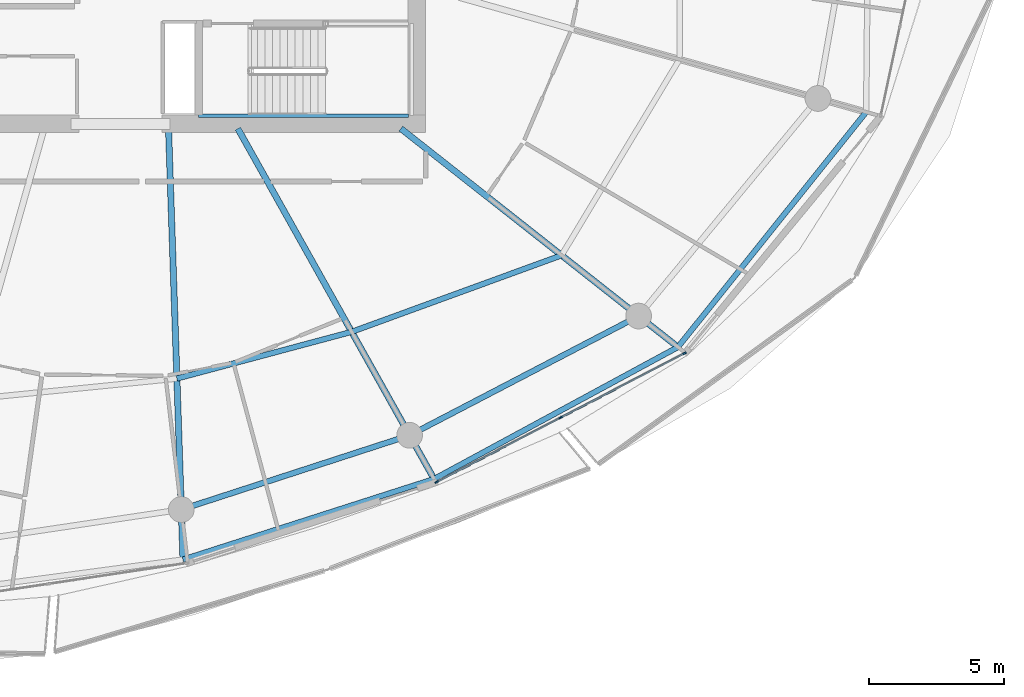
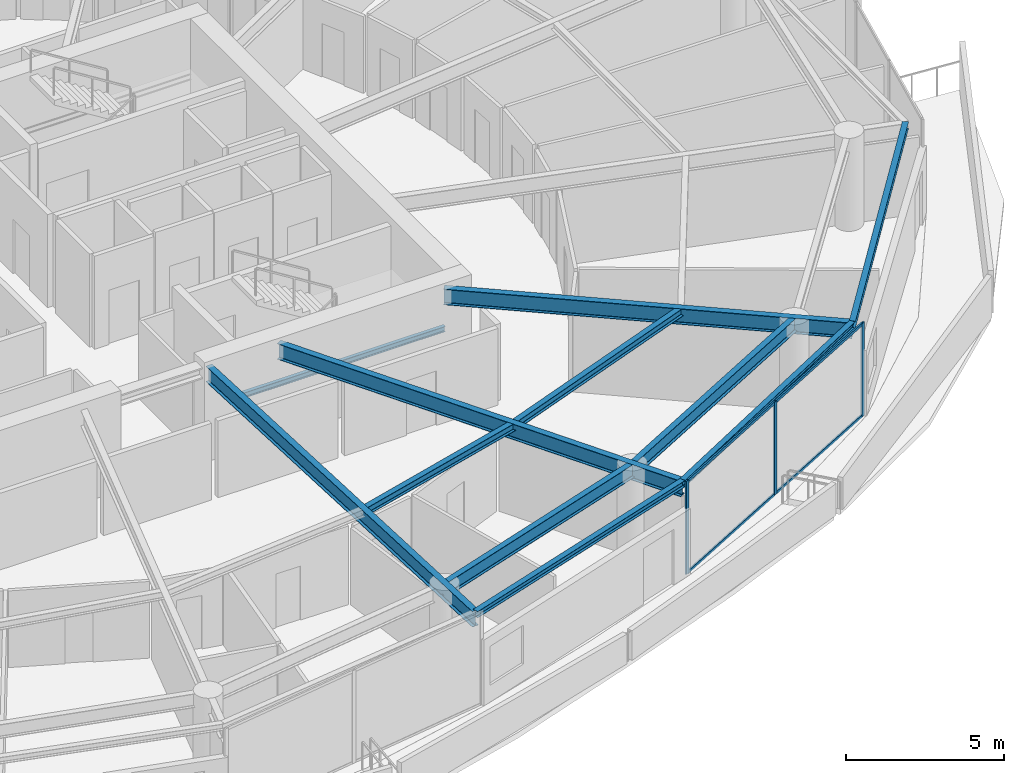
# One storey, part 10 of 30: 11 beams, 7 members, 1 element without a shape of its own.
"""IFC4 building model written with IfcOpenShell, lengths in metres."""

from ifc_helpers import new_model, si_unit, direction, frame, origin, origin_2d, place, context, subcontext, project, spatial, rectangle, i_section, extrude, material, layer, layer_set, material_profile, profile_set, type_object, element, aggregate, save


model = new_model("IFC4")

# Units and contexts
model_context = context("Model", 3, precision=1e-05, world=origin(), true_north=direction((0.0, 1.0)))
body_context = subcontext(model_context, "Body", "Model", "MODEL_VIEW")
ifc_project = project(units=[si_unit("LENGTHUNIT", "METRE"), si_unit("AREAUNIT", "SQUARE_METRE"), si_unit("VOLUMEUNIT", "CUBIC_METRE"), si_unit("PLANEANGLEUNIT", "RADIAN"), si_unit("MASSUNIT", "GRAM", prefix="KILO")], contexts=[model_context])

# Site, building, storey
site_placement = place(None, origin())
site = spatial("IfcSite", under=ifc_project, at=site_placement, CompositionType="ELEMENT")
building_placement = place(site_placement, origin())
building = spatial("IfcBuilding", under=site, at=building_placement, Name="Kazma Halo Residences", CompositionType="ELEMENT")
storey_placement = place(building_placement, frame((0.0, 0.0, 244.39990234375)))
storey = spatial("IfcBuildingStorey", under=building, at=storey_placement, Name="L61", CompositionType="ELEMENT", Elevation=244.39990234375)

# Beams
ifc_material_1 = material(Name="Steel S355", Category="steel")
ifc_material_profile_1 = material_profile(ifc_material_1, i_section(OverallWidth=0.201904296875, OverallDepth=0.2470703125, WebThickness=0.00732421875, FlangeThickness=0.010986328125, FilletRadius=0.011962890625, at=origin_2d()), Name="W250x49.1")
ifc_profile_set_1 = profile_set([ifc_material_profile_1], Name="Steel S355")
beam_type_1 = type_object("IfcBeamType", Name="BM-BAL-CANT", PredefinedType="BEAM", material=ifc_profile_set_1)
beam_1_placement = place(storey_placement, frame((50.7333984375, 17.580078125, 3.466552734375), z_axis=(0.952215866624, 0.305425839362, 0.0), x_axis=(-0.305425839362, 0.952215866624, 0.0)))
element("IfcBeam", 1, at=beam_1_placement, inside=storey, type_object=beam_type_1, Name="L61 wave-balcony tie beam 12", PredefinedType="BEAM", context=body_context, shape_type="SweptSolid", body=[
    extrude(i_section(OverallWidth=0.201904296875, OverallDepth=0.2470703125, WebThickness=0.00732421875, FlangeThickness=0.010986328125, FilletRadius=0.011962890625, at=origin_2d()), origin(), (0.0, 0.0, 1.0), 9.74169921875),
])
beam_2_placement = place(storey_placement, frame((60.009521484375, 20.555419921875, 3.466552734375), z_axis=(0.879517282036, 0.475866946321, 0.0), x_axis=(-0.475866946321, 0.879517282036, 0.0)))
element("IfcBeam", 2, at=beam_2_placement, inside=storey, type_object=beam_type_1, Name="L61 wave-balcony tie beam 13", PredefinedType="BEAM", context=body_context, shape_type="SweptSolid", body=[
    extrude(i_section(OverallWidth=0.201904296875, OverallDepth=0.2470703125, WebThickness=0.00732421875, FlangeThickness=0.010986328125, FilletRadius=0.011962890625, at=origin_2d()), origin(), (0.0, 0.0, 1.0), 10.243408203125),
])
beam_3_placement = place(storey_placement, frame((69.018798828125, 25.429931640625, 3.466552734375), z_axis=(0.625117912406, 0.780530329705, 0.0), x_axis=(-0.780530329705, 0.625117912406, 0.0)))
element("IfcBeam", 3, at=beam_3_placement, inside=storey, type_object=beam_type_1, Name="L61 wave-balcony tie beam 14", PredefinedType="BEAM", context=body_context, shape_type="SweptSolid", body=[
    extrude(i_section(OverallWidth=0.201904296875, OverallDepth=0.2470703125, WebThickness=0.00732421875, FlangeThickness=0.010986328125, FilletRadius=0.011962890625, at=origin_2d()), origin(), (0.0, 0.0, 1.0), 11.1220703125),
])
ifc_material_profile_2 = material_profile(ifc_material_1, i_section(OverallWidth=0.22802734375, OverallDepth=0.60791015625, WebThickness=0.01123046875, FlangeThickness=0.017333984375, FilletRadius=0.01806640625, at=origin_2d()), Name="W610x113")
ifc_profile_set_2 = profile_set([ifc_material_profile_2], Name="Steel S355")
beam_type_2 = type_object("IfcBeamType", Name="BM-RAD-W610", PredefinedType="BEAM", material=ifc_profile_set_2)
beam_4_placement = place(storey_placement, frame((50.199951171875, 33.5, 3.2861328125), z_axis=(0.03348936291, -0.999439073967, 0.0), x_axis=(0.999439073967, 0.03348936291, 0.0)))
element("IfcBeam", 4, at=beam_4_placement, inside=storey, type_object=beam_type_2, Name="L61 radial floor beam 12", PredefinedType="BEAM", context=body_context, shape_type="SweptSolid", body=[
    extrude(i_section(OverallWidth=0.22802734375, OverallDepth=0.60791015625, WebThickness=0.01123046875, FlangeThickness=0.017333984375, FilletRadius=0.01806640625, at=origin_2d()), origin(), (0.0, 0.0, 1.0), 15.928955078125),
])
beam_5_placement = place(storey_placement, frame((52.76025390625, 33.5, 3.2861328125), z_axis=(0.488618902548, -0.872497316943, 0.0), x_axis=(0.872497316943, 0.488618902548, 0.0)))
element("IfcBeam", 5, at=beam_5_placement, inside=storey, type_object=beam_type_2, Name="L61 radial floor beam 13", PredefinedType="BEAM", context=body_context, shape_type="SweptSolid", body=[
    extrude(i_section(OverallWidth=0.22802734375, OverallDepth=0.60791015625, WebThickness=0.01123046875, FlangeThickness=0.017333984375, FilletRadius=0.01806640625, at=origin_2d()), origin(), (0.0, 0.0, 1.0), 14.836181640625),
])
beam_6_placement = place(storey_placement, frame((58.7822265625, 33.5, 3.2861328125), z_axis=(0.785309266897, -0.619103670903, 0.0), x_axis=(0.619103670903, 0.785309266897, 0.0)))
element("IfcBeam", 6, at=beam_6_placement, inside=storey, type_object=beam_type_2, Name="L61 radial floor beam 14", PredefinedType="BEAM", context=body_context, shape_type="SweptSolid", body=[
    extrude(i_section(OverallWidth=0.22802734375, OverallDepth=0.60791015625, WebThickness=0.01123046875, FlangeThickness=0.017333984375, FilletRadius=0.01806640625, at=origin_2d()), origin(), (0.0, 0.0, 1.0), 13.03515625),
])
ifc_material_profile_3 = material_profile(ifc_material_1, i_section(OverallWidth=0.202880859375, OverallDepth=0.302978515625, WebThickness=0.007568359375, FlangeThickness=0.01318359375, FilletRadius=0.013916015625, at=origin_2d()), Name="W310x60")
ifc_profile_set_3 = profile_set([ifc_material_profile_3], Name="Steel S355")
beam_type_3 = type_object("IfcBeamType", Name="BM-SEC-W310A", PredefinedType="JOIST", material=ifc_profile_set_3)
beam_7_placement = place(storey_placement, frame((50.50927734375, 24.2666015625, 3.4384765625), z_axis=(0.966079519115, 0.258244772932, 0.0), x_axis=(-0.258244772932, 0.966079519115, 0.0)))
element("IfcBeam", 7, at=beam_7_placement, inside=storey, type_object=beam_type_3, Name="L61 circumferential floor joist 12", PredefinedType="JOIST", context=body_context, shape_type="SweptSolid", body=[
    extrude(i_section(OverallWidth=0.202880859375, OverallDepth=0.302978515625, WebThickness=0.007568359375, FlangeThickness=0.01318359375, FilletRadius=0.013916015625, at=origin_2d()), origin(), (0.0, 0.0, 1.0), 6.681884765625),
])
beam_8_placement = place(storey_placement, frame((56.964599609375, 25.9921875, 3.4384765625), z_axis=(0.93951330561, 0.342512406465, 0.0), x_axis=(-0.342512406465, 0.93951330561, 0.0)))
element("IfcBeam", 8, at=beam_8_placement, inside=storey, type_object=beam_type_3, Name="L61 circumferential floor joist 13", PredefinedType="JOIST", context=body_context, shape_type="SweptSolid", body=[
    extrude(i_section(OverallWidth=0.202880859375, OverallDepth=0.302978515625, WebThickness=0.007568359375, FlangeThickness=0.01318359375, FilletRadius=0.013916015625, at=origin_2d()), origin(), (0.0, 0.0, 1.0), 8.254150390625),
])
ifc_material_profile_4 = material_profile(ifc_material_1, i_section(OverallWidth=0.208984375, OverallDepth=0.532958984375, WebThickness=0.01025390625, FlangeThickness=0.015625, FilletRadius=0.01611328125, at=origin_2d()), Name="W530x92")
ifc_profile_set_4 = profile_set([ifc_material_profile_4], Name="Steel S355")
beam_type_4 = type_object("IfcBeamType", Name="BM-SPN-W530", PredefinedType="BEAM", material=ifc_profile_set_4)
beam_9_placement = place(storey_placement, frame((50.67138671875, 19.42919921875, 3.323486328125), z_axis=(0.951053893407, 0.309025066679, 0.0), x_axis=(-0.309025066679, 0.951053893407, 0.0)))
element("IfcBeam", 9, at=beam_9_placement, inside=storey, type_object=beam_type_4, Name="L61 perimeter ring beam 12", PredefinedType="BEAM", context=body_context, shape_type="SweptSolid", body=[
    extrude(i_section(OverallWidth=0.208984375, OverallDepth=0.532958984375, WebThickness=0.01025390625, FlangeThickness=0.015625, FilletRadius=0.01611328125, at=origin_2d()), origin(), (0.0, 0.0, 1.0), 8.8681640625),
])
beam_10_placement = place(storey_placement, frame((59.10546875, 22.169677734375, 3.323486328125), z_axis=(0.886961047115, 0.461844238788, 0.0), x_axis=(-0.461844238788, 0.886961047115, 0.0)))
element("IfcBeam", 10, at=beam_10_placement, inside=storey, type_object=beam_type_4, Name="L61 perimeter ring beam 13", PredefinedType="BEAM", context=body_context, shape_type="SweptSolid", body=[
    extrude(i_section(OverallWidth=0.208984375, OverallDepth=0.532958984375, WebThickness=0.01025390625, FlangeThickness=0.015625, FilletRadius=0.01611328125, at=origin_2d()), origin(), (0.0, 0.0, 1.0), 9.5390625),
])
ifc_material_profile_5 = material_profile(ifc_material_1, i_section(OverallWidth=0.133056640625, OverallDepth=0.20703125, WebThickness=0.005859375, FlangeThickness=0.00830078125, FilletRadius=0.010009765625, at=origin_2d()), Name="W200x26.6")
ifc_profile_set_5 = profile_set([ifc_material_profile_5], Name="Steel S355")
beam_type_5 = type_object("IfcBeamType", Name="BM-TRIM-W200", PredefinedType="BEAM", material=ifc_profile_set_5)
beam_11_placement = place(storey_placement, frame((51.31005859375, 33.97998046875, 1.6201171875), z_axis=(1.0, 0.0, 0.0), x_axis=(0.0, 1.0, 0.0)))
element("IfcBeam", 11, at=beam_11_placement, inside=storey, type_object=beam_type_5, Name="L61 ST-03 landing south wall ledger", PredefinedType="BEAM", context=body_context, shape_type="SweptSolid", body=[
    extrude(i_section(OverallWidth=0.133056640625, OverallDepth=0.20703125, WebThickness=0.005859375, FlangeThickness=0.00830078125, FilletRadius=0.010009765625, at=origin_2d()), origin(), (0.0, 0.0, 1.0), 7.760009765625),
])

# Curtain wall, members
ifc_material_2 = material(Name="Aluminium AW-6063 T6 and Triple-Silver Low-E Glass", Category="aluminium")
ifc_layer = layer(ifc_material_2, 0.139892578125)
ifc_layer_set = layer_set([ifc_layer], Name="Aluminium AW-6063 T6 and Triple-Silver Low-E Glass")
curtain_wall_type = type_object("IfcCurtainWallType", Name="CW-SYS-5", PredefinedType="NOTDEFINED", material=ifc_layer_set)
curtain_wall_placement = place(storey_placement, origin())
curtain_wall = element("IfcCurtainWall", 12, at=curtain_wall_placement, inside=storey, type_object=curtain_wall_type, Name="L61 unitised curtain wall B13", PredefinedType="NOTDEFINED")
ifc_material_3 = material(Name="Aluminium AW-6063 T6", Category="aluminium")
ifc_material_profile_6 = material_profile(ifc_material_3, rectangle(XDim=0.06005859375, YDim=0.139892578125, at=origin_2d()), Name="CWM-60x140")
ifc_profile_set_6 = profile_set([ifc_material_profile_6], Name="Aluminium AW-6063 T6")
member_type_1 = type_object("IfcMemberType", Name="CW-SYS-5-MUL", PredefinedType="MULLION", material=ifc_profile_set_6)
member_1_placement = place(storey_placement, frame((60.105224609375, 20.446044921875, 0.0), z_axis=(0.0, 0.0, 1.0), x_axis=(-0.460960760804, 0.887420518694, 0.0)))
member_1 = element("IfcMember", 13, at=member_1_placement, type_object=member_type_1, Name="CWS-5 mullion 1", PredefinedType="MULLION", context=body_context, shape_type="SweptSolid", body=[
    extrude(rectangle(XDim=0.06005859375, YDim=0.139892578125, at=origin_2d()), origin(), (0.0, 0.0, 1.0), 3.590087890625),
])
member_2_placement = place(storey_placement, frame((64.68408203125, 22.824462890625, 0.0), z_axis=(0.0, 0.0, 1.0), x_axis=(-0.460960760804, 0.887420518694, 0.0)))
member_2 = element("IfcMember", 14, at=member_2_placement, type_object=member_type_1, Name="CWS-5 mullion 2", PredefinedType="MULLION", context=body_context, shape_type="SweptSolid", body=[
    extrude(rectangle(XDim=0.06005859375, YDim=0.139892578125, at=origin_2d()), origin(), (0.0, 0.0, 1.0), 3.590087890625),
])
member_3_placement = place(storey_placement, frame((69.262939453125, 25.202880859375, 0.0), z_axis=(0.0, 0.0, 1.0), x_axis=(-0.460960760804, 0.887420518694, 0.0)))
member_3 = element("IfcMember", 15, at=member_3_placement, type_object=member_type_1, Name="CWS-5 mullion 3", PredefinedType="MULLION", context=body_context, shape_type="SweptSolid", body=[
    extrude(rectangle(XDim=0.06005859375, YDim=0.139892578125, at=origin_2d()), origin(), (0.0, 0.0, 1.0), 3.590087890625),
])
ifc_material_profile_7 = material_profile(ifc_material_3, rectangle(XDim=0.06005859375, YDim=0.10498046875, at=origin_2d()), Name="CWT-60x105")
ifc_profile_set_7 = profile_set([ifc_material_profile_7], Name="Aluminium AW-6063 T6")
member_type_2 = type_object("IfcMemberType", Name="CW-SYS-5-TRN", PredefinedType="USERDEFINED", material=ifc_profile_set_7)
member_4_placement = place(storey_placement, frame((60.1318359375, 20.4599609375, 0.030029296875), z_axis=(0.887436955863, 0.46092911534, 0.0), x_axis=(-0.46092911534, 0.887436955863, 0.0)))
member_4 = element("IfcMember", 16, at=member_4_placement, type_object=member_type_2, Name="CWS-5 transom 1.1", ObjectType="TRANSOM", PredefinedType="USERDEFINED", context=body_context, shape_type="SweptSolid", body=[
    extrude(rectangle(XDim=0.06005859375, YDim=0.10498046875, at=origin_2d()), origin(), (0.0, 0.0, 1.0), 5.099609375),
])
member_5_placement = place(storey_placement, frame((60.1318359375, 20.4599609375, 3.56005859375), z_axis=(0.887436955863, 0.46092911534, 0.0), x_axis=(-0.46092911534, 0.887436955863, 0.0)))
member_5 = element("IfcMember", 17, at=member_5_placement, type_object=member_type_2, Name="CWS-5 transom 1.2", ObjectType="TRANSOM", PredefinedType="USERDEFINED", context=body_context, shape_type="SweptSolid", body=[
    extrude(rectangle(XDim=0.06005859375, YDim=0.10498046875, at=origin_2d()), origin(), (0.0, 0.0, 1.0), 5.099609375),
])
member_6_placement = place(storey_placement, frame((64.710693359375, 22.83837890625, 0.030029296875), z_axis=(0.887436955863, 0.46092911534, 0.0), x_axis=(-0.46092911534, 0.887436955863, 0.0)))
member_6 = element("IfcMember", 18, at=member_6_placement, type_object=member_type_2, Name="CWS-5 transom 2.1", ObjectType="TRANSOM", PredefinedType="USERDEFINED", context=body_context, shape_type="SweptSolid", body=[
    extrude(rectangle(XDim=0.06005859375, YDim=0.10498046875, at=origin_2d()), origin(), (0.0, 0.0, 1.0), 5.099609375),
])
member_7_placement = place(storey_placement, frame((64.710693359375, 22.83837890625, 3.56005859375), z_axis=(0.887436955863, 0.46092911534, 0.0), x_axis=(-0.46092911534, 0.887436955863, 0.0)))
member_7 = element("IfcMember", 19, at=member_7_placement, type_object=member_type_2, Name="CWS-5 transom 2.2", ObjectType="TRANSOM", PredefinedType="USERDEFINED", context=body_context, shape_type="SweptSolid", body=[
    extrude(rectangle(XDim=0.06005859375, YDim=0.10498046875, at=origin_2d()), origin(), (0.0, 0.0, 1.0), 5.099609375),
])
aggregate(curtain_wall, [member_1, member_2, member_3, member_4, member_5, member_6, member_7])

save(model, "model.ifc")
